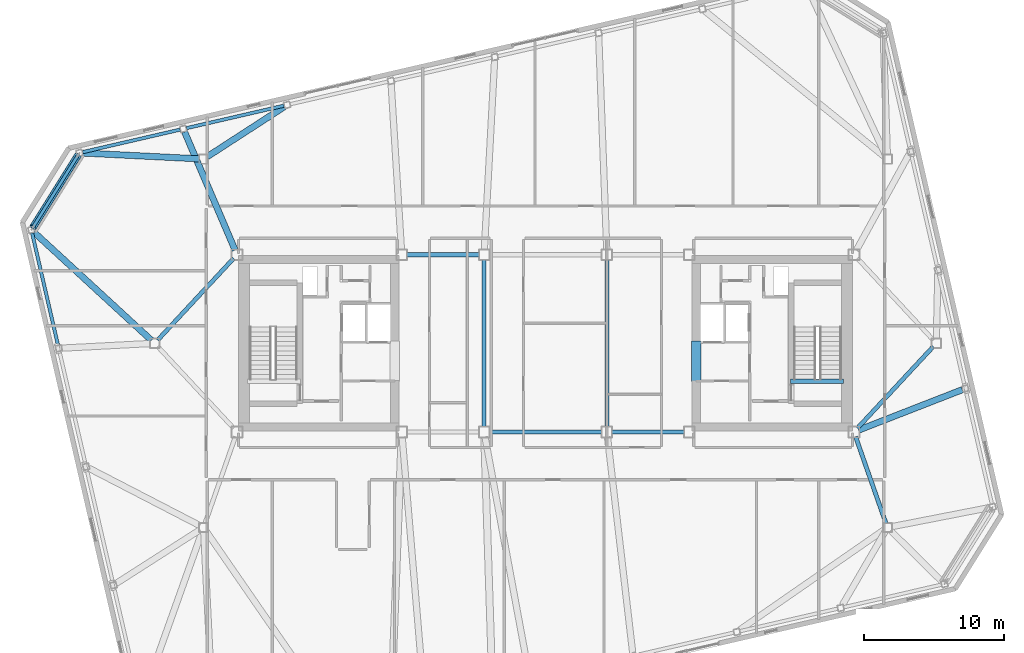
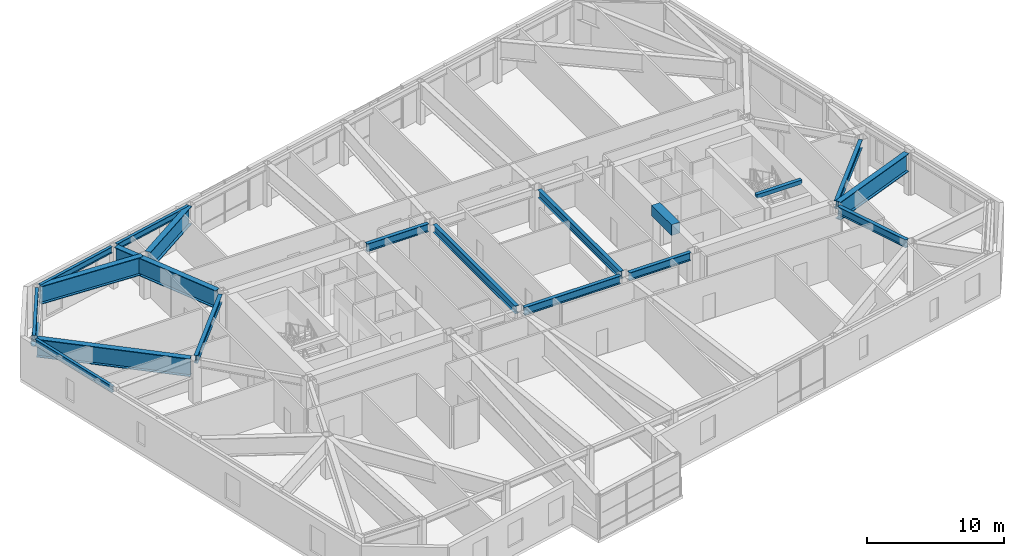
# One storey, part 11 of 23: 19 beams, 1 member.
"""IFC4 building model written with IfcOpenShell, lengths in metres."""

from ifc_helpers import new_model, si_unit, direction, frame, origin, origin_2d, place, context, subcontext, project, spatial, rectangle, hollow_circle, i_section, extrude, material, material_profile, profile_set, type_object, element, save


model = new_model("IFC4")

# Units and contexts
model_context = context("Model", 3, precision=1e-05, world=origin(), true_north=direction((0.0, 1.0)))
body_context = subcontext(model_context, "Body", "Model", "MODEL_VIEW")
ifc_project = project(units=[si_unit("LENGTHUNIT", "METRE"), si_unit("AREAUNIT", "SQUARE_METRE"), si_unit("VOLUMEUNIT", "CUBIC_METRE"), si_unit("PLANEANGLEUNIT", "RADIAN"), si_unit("MASSUNIT", "GRAM", prefix="KILO")], contexts=[model_context])

# Site, building, storey
site_placement = place(None, origin())
site = spatial("IfcSite", under=ifc_project, at=site_placement, CompositionType="ELEMENT")
building_placement = place(site_placement, origin())
building = spatial("IfcBuilding", under=site, at=building_placement, Name="Tavrogorsk Clinical Tower", CompositionType="ELEMENT")
storey_placement = place(building_placement, frame((0.0, 0.0, 277.0)))
storey = spatial("IfcBuildingStorey", under=building, at=storey_placement, Name="L64", CompositionType="ELEMENT", Elevation=277.0)

# Beam
ifc_material_1 = material(Name="Concrete B80", Category="concrete")
ifc_material_profile_1 = material_profile(ifc_material_1, rectangle(XDim=0.699951171875, YDim=0.949951171875, at=origin_2d()), Name="RC-CB-700x950")
ifc_profile_set_1 = profile_set([ifc_material_profile_1], Name="Concrete B80")
beam_type_1 = type_object("IfcBeamType", Name="CouplingBeam_RC700x950", PredefinedType="LINTEL", material=ifc_profile_set_1)
beam_1_placement = place(storey_placement, frame((10.800048828125, -2.75, 3.264892578125), z_axis=(0.0, 1.0, 0.0), x_axis=(-1.0, 0.0, 0.0)))
element("IfcBeam", 1, at=beam_1_placement, inside=storey, type_object=beam_type_1, Name="L64 Core East Coupling Beam", PredefinedType="LINTEL", context=body_context, shape_type="SweptSolid", body=[
    extrude(rectangle(XDim=0.699951171875, YDim=0.949951171875, at=origin_2d()), origin(), (0.0, 0.0, 1.0), 2.89990234375),
])

# Member
ifc_material_2 = material(Name="Structural steel S440", Category="steel")
ifc_material_profile_2 = material_profile(ifc_material_2, hollow_circle(Radius=0.25390625, WallThickness=0.02001953125, at=origin_2d()), Name="CHS-508x20")
ifc_profile_set_2 = profile_set([ifc_material_profile_2], Name="Structural steel S440")
member_type = type_object("IfcMemberType", Name="ExoBrace_CHS508", PredefinedType="BRACE", material=ifc_profile_set_2)
member_placement = place(storey_placement, frame((-33.501708984375, 13.4638671875, 0.393310546875), z_axis=(-0.485643868835, -0.777221605895, 0.400095748531), x_axis=(0.848056967697, -0.529905066536, 0.0)))
element("IfcMember", 2, at=member_placement, inside=storey, type_object=member_type, Name="L64 Corner Exoskeleton Brace N8-W1", PredefinedType="BRACE", context=body_context, shape_type="SweptSolid", body=[
    extrude(hollow_circle(Radius=0.25390625, WallThickness=0.02001953125, at=origin_2d()), origin(), (0.0, 0.0, 1.0), 6.63232421875),
])

# Beams
ifc_material_3 = material(Name="Structural steel S390", Category="steel")
ifc_material_profile_3 = material_profile(ifc_material_3, i_section(OverallWidth=0.300048828125, OverallDepth=0.699951171875, WebThickness=0.01708984375, FlangeThickness=0.028076171875, at=origin_2d()), Name="B-700x300x17x28")
ifc_profile_set_3 = profile_set([ifc_material_profile_3], Name="Structural steel S390")
beam_type_2 = type_object("IfcBeamType", Name="PrimaryGirder_B700", PredefinedType="USERDEFINED", material=ifc_profile_set_3)
beam_2_placement = place(storey_placement, frame((-9.93994140625, 6.35009765625, 3.389892578125), z_axis=(1.0, 0.0, 0.0), x_axis=(0.0, 1.0, 0.0)))
element("IfcBeam", 3, at=beam_2_placement, inside=storey, type_object=beam_type_2, Name="L64 Primary Spine Girder MG-02", ObjectType="GIRDER", PredefinedType="USERDEFINED", context=body_context, shape_type="SweptSolid", body=[
    extrude(i_section(OverallWidth=0.300048828125, OverallDepth=0.699951171875, WebThickness=0.01708984375, FlangeThickness=0.028076171875, at=origin_2d()), origin(), (0.0, 0.0, 1.0), 5.179931640625),
])
beam_3_placement = place(storey_placement, frame((-4.0400390625, -6.35009765625, 3.389892578125), z_axis=(1.0, 0.0, 0.0), x_axis=(0.0, 1.0, 0.0)))
element("IfcBeam", 4, at=beam_3_placement, inside=storey, type_object=beam_type_2, Name="L64 Primary Spine Girder MG-03", ObjectType="GIRDER", PredefinedType="USERDEFINED", context=body_context, shape_type="SweptSolid", body=[
    extrude(i_section(OverallWidth=0.300048828125, OverallDepth=0.699951171875, WebThickness=0.01708984375, FlangeThickness=0.028076171875, at=origin_2d()), origin(), (0.0, 0.0, 1.0), 8.080078125),
])
beam_4_placement = place(storey_placement, frame((4.760009765625, -6.35009765625, 3.389892578125), z_axis=(1.0, 0.0, 0.0), x_axis=(0.0, 1.0, 0.0)))
element("IfcBeam", 5, at=beam_4_placement, inside=storey, type_object=beam_type_2, Name="L64 Primary Spine Girder MG-05", ObjectType="GIRDER", PredefinedType="USERDEFINED", context=body_context, shape_type="SweptSolid", body=[
    extrude(i_section(OverallWidth=0.300048828125, OverallDepth=0.699951171875, WebThickness=0.01708984375, FlangeThickness=0.028076171875, at=origin_2d()), origin(), (0.0, 0.0, 1.0), 5.179931640625),
])
for number, where, z_axis, x_axis, name in (
    (6, (-4.39990234375, -5.989990234375, 3.389892578125), (0.0, 1.0, 0.0), (-1.0, 0.0, 0.0), "L64 Primary Spine Girder MG-07"),
    (7, (4.39990234375, -5.989990234375, 3.389892578125), (0.0, 1.0, 0.0), (-1.0, 0.0, 0.0), "L64 Primary Spine Girder MG-08"),
):
    element("IfcBeam", number, at=place(storey_placement, frame(where, z_axis=z_axis, x_axis=x_axis)), inside=storey, type_object=beam_type_2, Name=name, ObjectType="GIRDER", PredefinedType="USERDEFINED", context=body_context, shape_type="SweptSolid", body=[
        extrude(i_section(OverallWidth=0.300048828125, OverallDepth=0.699951171875, WebThickness=0.01708984375, FlangeThickness=0.028076171875, at=origin_2d()), origin(), (0.0, 0.0, 1.0), 11.97998046875),
    ])
beam_5_placement = place(storey_placement, frame((24.3974609375, -12.907470703125, 3.389892578125), z_axis=(-0.330654121425, 0.943752007672, 0.0), x_axis=(-0.943752007672, -0.330654121425, 0.0)))
element("IfcBeam", 8, at=beam_5_placement, inside=storey, type_object=beam_type_2, Name="L64 Spine Link Girder OPG-2", ObjectType="GIRDER", PredefinedType="USERDEFINED", context=body_context, shape_type="SweptSolid", body=[
    extrude(i_section(OverallWidth=0.300048828125, OverallDepth=0.699951171875, WebThickness=0.01708984375, FlangeThickness=0.028076171875, at=origin_2d()), origin(), (0.0, 0.0, 1.0), 6.58837890625),
])
for number, where, z_axis, x_axis, name in (
    (9, (-27.7890625, 0.22705078125, 3.389892578125), (0.680684060959, 0.732577101168, 0.0), (-0.732577101168, 0.680684060959, 0.0), "L64 Spine Link Girder OPG-6"),
    (10, (27.7890625, -0.22705078125, 3.389892578125), (-0.680684060959, -0.732577101168, 0.0), (0.732577101168, -0.680684060959, 0.0), "L64 Spine Link Girder OPG-7"),
):
    element("IfcBeam", number, at=place(storey_placement, frame(where, z_axis=z_axis, x_axis=x_axis)), inside=storey, type_object=beam_type_2, Name=name, ObjectType="GIRDER", PredefinedType="USERDEFINED", context=body_context, shape_type="SweptSolid", body=[
        extrude(i_section(OverallWidth=0.300048828125, OverallDepth=0.699951171875, WebThickness=0.01708984375, FlangeThickness=0.028076171875, at=origin_2d()), origin(), (0.0, 0.0, 1.0), 7.998046875),
    ])
ifc_material_4 = material(Name="Structural steel S390", Category="steel")
ifc_material_profile_4 = material_profile(ifc_material_4, i_section(OverallWidth=0.239990234375, OverallDepth=0.550048828125, WebThickness=0.013916015625, FlangeThickness=0.02197265625, at=origin_2d()), Name="B-550x240x14x22")
ifc_profile_set_4 = profile_set([ifc_material_profile_4], Name="Structural steel S390")
beam_type_3 = type_object("IfcBeamType", Name="SpandrelBeam_B550", PredefinedType="SPANDREL", material=ifc_profile_set_4)
beam_6_placement = place(storey_placement, frame((-18.73828125, 17.027099609375, 3.465087890625), z_axis=(-0.97437684326, -0.224921691527, 0.0), x_axis=(0.224921691527, -0.97437684326, 0.0)))
element("IfcBeam", 11, at=beam_6_placement, inside=storey, type_object=beam_type_3, Name="L64 Perimeter Spandrel N6-N7", PredefinedType="SPANDREL", context=body_context, shape_type="SweptSolid", body=[
    extrude(i_section(OverallWidth=0.239990234375, OverallDepth=0.550048828125, WebThickness=0.013916015625, FlangeThickness=0.02197265625, at=origin_2d()), origin(), (0.0, 0.0, 1.0), 7.168212890625),
])
beam_7_placement = place(storey_placement, frame((-26.177001953125, 15.309814453125, 3.465087890625), z_axis=(-0.974369378592, -0.224954026551, 0.0), x_axis=(0.224954026551, -0.974369378592, 0.0)))
element("IfcBeam", 12, at=beam_7_placement, inside=storey, type_object=beam_type_3, Name="L64 Perimeter Spandrel N7-N8", PredefinedType="SPANDREL", context=body_context, shape_type="SweptSolid", body=[
    extrude(i_section(OverallWidth=0.239990234375, OverallDepth=0.550048828125, WebThickness=0.013916015625, FlangeThickness=0.02197265625, at=origin_2d()), origin(), (0.0, 0.0, 1.0), 7.16845703125),
])
beam_8_placement = place(storey_placement, frame((-33.511962890625, 13.447265625, 3.465087890625), z_axis=(-0.529933531413, -0.848039180866, 0.0), x_axis=(0.848039180866, -0.529933531413, 0.0)))
element("IfcBeam", 13, at=beam_8_placement, inside=storey, type_object=beam_type_3, Name="L64 Perimeter Spandrel N8-W1", PredefinedType="SPANDREL", context=body_context, shape_type="SweptSolid", body=[
    extrude(i_section(OverallWidth=0.239990234375, OverallDepth=0.550048828125, WebThickness=0.013916015625, FlangeThickness=0.02197265625, at=origin_2d()), origin(), (0.0, 0.0, 1.0), 6.039306640625),
])
beam_9_placement = place(storey_placement, frame((-36.783447265625, 7.901123046875, 3.465087890625), z_axis=(0.224950345141, -0.974370228517, 0.0), x_axis=(0.974370228517, 0.224950345141, 0.0)))
element("IfcBeam", 14, at=beam_9_placement, inside=storey, type_object=beam_type_3, Name="L64 Perimeter Spandrel W1-W2", PredefinedType="SPANDREL", context=body_context, shape_type="SweptSolid", body=[
    extrude(i_section(OverallWidth=0.239990234375, OverallDepth=0.550048828125, WebThickness=0.013916015625, FlangeThickness=0.02197265625, at=origin_2d()), origin(), (0.0, 0.0, 1.0), 8.243896484375),
])
ifc_material_5 = material(Name="Concrete B60", Category="concrete")
ifc_material_profile_5 = material_profile(ifc_material_5, rectangle(XDim=0.300048828125, YDim=0.35009765625, at=origin_2d()), Name="RC-SHB-300x350")
ifc_profile_set_5 = profile_set([ifc_material_profile_5], Name="Concrete B60")
beam_type_4 = type_object("IfcBeamType", Name="StairHeaderBeam_RC300x350", PredefinedType="BEAM", material=ifc_profile_set_5)
beam_10_placement = place(storey_placement, frame((17.550048828125, -2.719970703125, 3.824951171875), z_axis=(1.0, 0.0, 0.0), x_axis=(0.0, 1.0, 0.0)))
element("IfcBeam", 15, at=beam_10_placement, inside=storey, type_object=beam_type_4, Name="L65 ST-E Landing Header Beam", PredefinedType="BEAM", context=body_context, shape_type="SweptSolid", body=[
    extrude(rectangle(XDim=0.300048828125, YDim=0.35009765625, at=origin_2d()), origin(), (0.0, 0.0, 1.0), 3.800048828125),
])
ifc_material_6 = material(Name="Structural steel S440", Category="steel")
ifc_material_profile_6 = material_profile(ifc_material_6, i_section(OverallWidth=0.449951171875, OverallDepth=1.60009765625, WebThickness=0.031982421875, FlangeThickness=0.050048828125, at=origin_2d()), Name="DK-1600x450x32x50")
ifc_profile_set_6 = profile_set([ifc_material_profile_6], Name="Structural steel S440")
beam_type_5 = type_object("IfcBeamType", Name="TransferGirder_DK1600", PredefinedType="USERDEFINED", material=ifc_profile_set_6)
beam_11_placement = place(storey_placement, frame((-24.23974609375, 13.36865234375, 2.93994140625), z_axis=(0.839287867478, 0.543687295699, 0.0), x_axis=(-0.543687295699, 0.839287867478, 0.0)))
element("IfcBeam", 16, at=beam_11_placement, inside=storey, type_object=beam_type_5, Name="L64 Radial Floor Beam N6", ObjectType="GIRDER", PredefinedType="USERDEFINED", context=body_context, shape_type="SweptSolid", body=[
    extrude(i_section(OverallWidth=0.449951171875, OverallDepth=1.60009765625, WebThickness=0.031982421875, FlangeThickness=0.050048828125, at=origin_2d()), origin(), (0.0, 0.0, 1.0), 6.592529296875),
])
beam_12_placement = place(storey_placement, frame((-22.241455078125, 6.68115234375, 2.93994140625), z_axis=(-0.392846927495, 0.919603877524, 0.0), x_axis=(-0.919603877524, -0.392846927495, 0.0)))
element("IfcBeam", 17, at=beam_12_placement, inside=storey, type_object=beam_type_5, Name="L64 Radial Floor Beam N7", ObjectType="GIRDER", PredefinedType="USERDEFINED", context=body_context, shape_type="SweptSolid", body=[
    extrude(i_section(OverallWidth=0.449951171875, OverallDepth=1.60009765625, WebThickness=0.031982421875, FlangeThickness=0.050048828125, at=origin_2d()), origin(), (0.0, 0.0, 1.0), 9.20703125),
])
beam_13_placement = place(storey_placement, frame((-24.8095703125, 13.215576171875, 2.93994140625), z_axis=(-0.998749933549, 0.049985700304, 0.0), x_axis=(-0.049985700304, -0.998749933549, 0.0)))
element("IfcBeam", 18, at=beam_13_placement, inside=storey, type_object=beam_type_5, Name="L64 Radial Floor Beam N8", ObjectType="GIRDER", PredefinedType="USERDEFINED", context=body_context, shape_type="SweptSolid", body=[
    extrude(i_section(OverallWidth=0.449951171875, OverallDepth=1.60009765625, WebThickness=0.031982421875, FlangeThickness=0.050048828125, at=origin_2d()), origin(), (0.0, 0.0, 1.0), 8.35693359375),
])
beam_14_placement = place(storey_placement, frame((22.435546875, -6.21923828125, 2.93994140625), z_axis=(0.931742794521, 0.363118940375, 0.0), x_axis=(-0.363118940375, 0.931742794521, 0.0)))
element("IfcBeam", 19, at=beam_14_placement, inside=storey, type_object=beam_type_5, Name="L64 Radial Floor Beam E2", ObjectType="GIRDER", PredefinedType="USERDEFINED", context=body_context, shape_type="SweptSolid", body=[
    extrude(i_section(OverallWidth=0.449951171875, OverallDepth=1.60009765625, WebThickness=0.031982421875, FlangeThickness=0.050048828125, at=origin_2d()), origin(), (0.0, 0.0, 1.0), 7.968017578125),
])
beam_15_placement = place(storey_placement, frame((-28.228271484375, 0.2099609375, 2.93994140625), z_axis=(-0.735959452605, 0.677025615557, 0.0), x_axis=(-0.677025615557, -0.735959452605, 0.0)))
element("IfcBeam", 20, at=beam_15_placement, inside=storey, type_object=beam_type_5, Name="L64 Radial Floor Beam W1", ObjectType="GIRDER", PredefinedType="USERDEFINED", context=body_context, shape_type="SweptSolid", body=[
    extrude(i_section(OverallWidth=0.449951171875, OverallDepth=1.60009765625, WebThickness=0.031982421875, FlangeThickness=0.050048828125, at=origin_2d()), origin(), (0.0, 0.0, 1.0), 11.462646484375),
])

save(model, "model.ifc")
